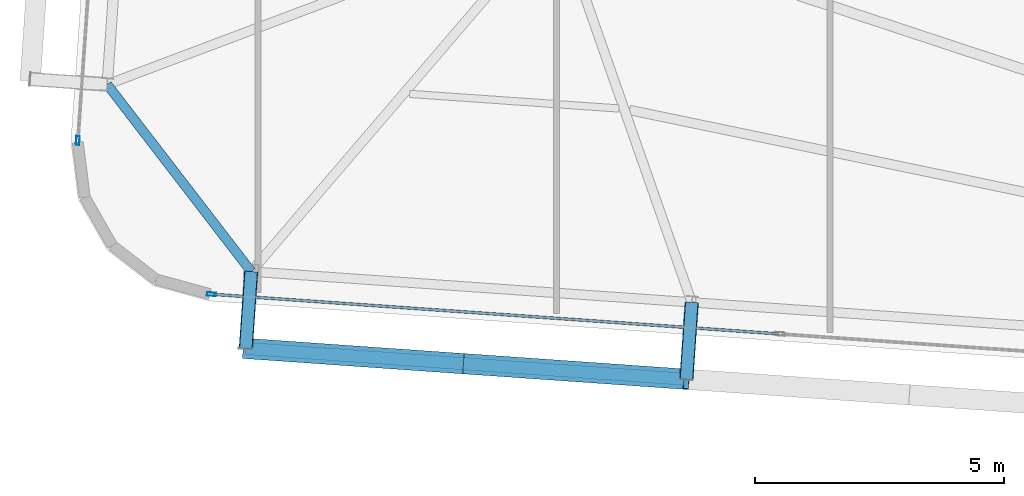
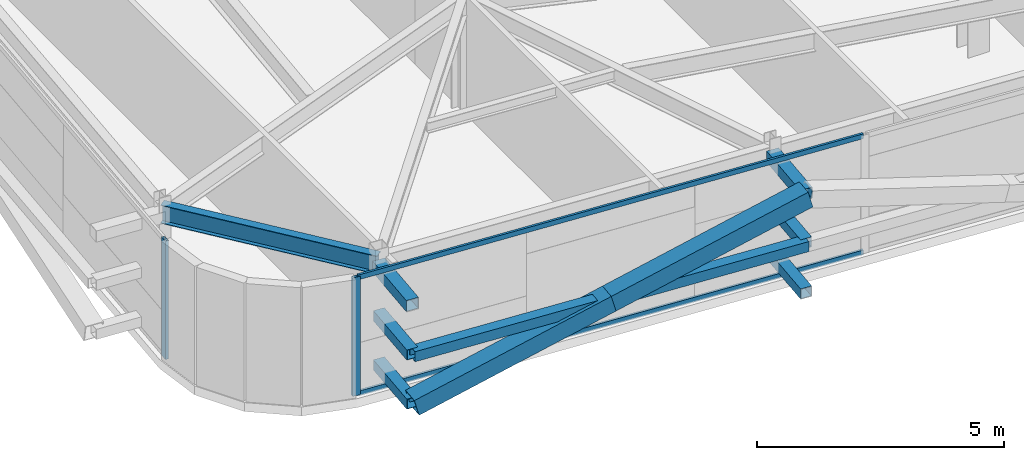
# One storey, part 6 of 39: 13 members, 1 beam, 2 elements without a shape of their own.
"""IFC4 building model written with IfcOpenShell, lengths in metres."""

from ifc_helpers import new_model, si_unit, direction, frame, origin, origin_2d, place, context, subcontext, project, spatial, hollow_rectangle, i_section, extrude, source, transform, mapped, material, layer, layer_set, material_profile, profile_set, type_object, element, aggregate, save


model = new_model("IFC4")

# Units and contexts
model_context = context("Model", 3, precision=1e-05, world=origin(), true_north=direction((0.0, 1.0)))
body_context = subcontext(model_context, "Body", "Model", "MODEL_VIEW")
ifc_project = project(units=[si_unit("LENGTHUNIT", "METRE"), si_unit("AREAUNIT", "SQUARE_METRE"), si_unit("VOLUMEUNIT", "CUBIC_METRE"), si_unit("PLANEANGLEUNIT", "RADIAN"), si_unit("MASSUNIT", "GRAM", prefix="KILO")], contexts=[model_context])

# Site, building, storey
site_placement = place(None, origin())
site = spatial("IfcSite", under=ifc_project, at=site_placement, CompositionType="ELEMENT")
building_placement = place(site_placement, origin())
building = spatial("IfcBuilding", under=site, at=building_placement, Name="Taldren Reach Tower", CompositionType="ELEMENT")
storey_placement = place(building_placement, frame((0.0, 0.0, 120.39990234375)))
storey = spatial("IfcBuildingStorey", under=building, at=storey_placement, Name="L36", CompositionType="ELEMENT", Elevation=120.39990234375)

# Members
ifc_material_1 = material(Name="Steel Gr 450 (C450L0)", Category="steel")
ifc_material_profile_1 = material_profile(ifc_material_1, hollow_rectangle(XDim=0.27490234375, YDim=0.27490234375, WallThickness=0.00927734375, at=origin_2d()), Name="275x275x9.3SHS")
ifc_profile_set_1 = profile_set([ifc_material_profile_1], Name="Steel Gr 450 (C450L0)")
member_type_1 = type_object("IfcMemberType", Name="MB-TIE273", PredefinedType="STRUT", material=ifc_profile_set_1)
shared_shape_1 = source(origin(), body_context, "Body", "SweptSolid", [
    extrude(hollow_rectangle(XDim=0.27490234375, YDim=0.27490234375, WallThickness=0.00927734375, at=origin_2d()), origin(), (0.0, 0.0, 1.0), 1.5498046875),
])
for number, where, z_axis, x_axis, name in (
    (1, (11.863525390625, 5.33837890625, 2.650146484375), (-0.069780535098, -0.997562367434, 0.0), (0.997562367434, -0.069780535098, 0.0), "Exoskeleton diaphragm tie strut B3-S1 L36"),
    (2, (20.721923828125, 4.718994140625, 2.650146484375), (-0.069780535098, -0.997562367434, 0.0), (0.997562367434, -0.069780535098, 0.0), "Exoskeleton diaphragm tie strut B3-S2 L36"),
):
    element("IfcMember", number, at=place(storey_placement, frame(where, z_axis=z_axis, x_axis=x_axis)), inside=storey, type_object=member_type_1, Name=name, PredefinedType="STRUT", context=body_context, shape_type="MappedRepresentation", body=[
        mapped(shared_shape_1, transform((0.0, 0.0, 0.0), scale=1.0)),
    ])
ifc_material_2 = material(Name="Steel Gr 350 (C350L0)", Category="steel")
ifc_material_profile_2 = material_profile(ifc_material_2, hollow_rectangle(XDim=0.25, YDim=0.25, WallThickness=0.010009765625, at=origin_2d()), Name="250x250x10.0SHS")
ifc_profile_set_2 = profile_set([ifc_material_profile_2], Name="Steel Gr 350 (C350L0)")
member_type_2 = type_object("IfcMemberType", Name="MB-POST250", PredefinedType="POST", material=ifc_profile_set_2)
shared_shape_2 = source(origin(), body_context, "Body", "SweptSolid", [
    extrude(hollow_rectangle(XDim=0.25, YDim=0.25, WallThickness=0.010009765625, at=origin_2d()), origin(), (0.0, 0.0, 1.0), 1.5498046875),
])
for number, where, z_axis, x_axis, name in (
    (3, (11.863525390625, 5.33837890625, 0.22021484375), (-0.069780535098, -0.997562367434, 0.0), (0.997562367434, -0.069780535098, 0.0), "Exoskeleton base diaphragm tie strut B3-S1 L36"),
    (4, (20.721923828125, 4.718994140625, 0.22021484375), (-0.069780535098, -0.997562367434, 0.0), (0.997562367434, -0.069780535098, 0.0), "Exoskeleton base diaphragm tie strut B3-S2 L36"),
    (5, (11.863525390625, 5.33837890625, 1.43505859375), (-0.069780535098, -0.997562367434, 0.0), (0.997562367434, -0.069780535098, 0.0), "Exoskeleton mid-tier diaphragm tie B3-S1 L36"),
    (6, (20.721923828125, 4.718994140625, 1.43505859375), (-0.069780535098, -0.997562367434, 0.0), (0.997562367434, -0.069780535098, 0.0), "Exoskeleton mid-tier diaphragm tie B3-S2 L36"),
):
    element("IfcMember", number, at=place(storey_placement, frame(where, z_axis=z_axis, x_axis=x_axis)), inside=storey, type_object=member_type_2, Name=name, PredefinedType="POST", context=body_context, shape_type="MappedRepresentation", body=[
        mapped(shared_shape_2, transform((0.0, 0.0, 0.0), scale=1.0)),
    ])

# Beam
ifc_material_3 = material(Name="Steel Gr 350 (350PLUS)", Category="steel")
ifc_material_profile_3 = material_profile(ifc_material_3, i_section(OverallWidth=0.18994140625, OverallDepth=0.4541015625, WebThickness=0.008544921875, FlangeThickness=0.0126953125, at=origin_2d()), Name="460UB67.1")
ifc_profile_set_3 = profile_set([ifc_material_profile_3], Name="Steel Gr 350 (350PLUS)")
beam_type = type_object("IfcBeamType", Name="SP-UB460B", PredefinedType="SPANDREL", material=ifc_profile_set_3)
shared_shape_3 = source(origin(), body_context, "Body", "SweptSolid", [
    extrude(i_section(OverallWidth=0.18994140625, OverallDepth=0.4541015625, WebThickness=0.008544921875, FlangeThickness=0.0126953125, at=origin_2d()), origin(), (0.0, 0.0, 1.0), 4.746337890625),
])
beam_placement = place(storey_placement, frame((8.96875, 9.099609375, 2.703125), z_axis=(0.609912099004, -0.792469072891, 0.0), x_axis=(0.792469072891, 0.609912099004, 0.0)))
element("IfcBeam", 7, at=beam_placement, inside=storey, type_object=beam_type, Name="Perimeter spandrel B3 W1-S1 L36", PredefinedType="SPANDREL", context=body_context, shape_type="MappedRepresentation", body=[
    mapped(shared_shape_3, transform((0.0, 0.0, 0.0), scale=1.0)),
])

# Members
shared_shape_4 = source(origin(), body_context, "Body", "SweptSolid", [
    extrude(hollow_rectangle(XDim=0.25, YDim=0.25, WallThickness=0.010009765625, at=origin_2d()), origin(), (0.0, 0.0, 1.0), 8.880126953125),
])
member_1_placement = place(storey_placement, frame((11.75537109375, 3.792236328125, 1.43505859375), z_axis=(0.997564479639, -0.069750333063, 0.0), x_axis=(0.069750333063, 0.997564479639, 0.0)))
element("IfcMember", 8, at=member_1_placement, inside=storey, type_object=member_type_2, Name="Exoskeleton mid-height ring chord B3-S1 L36", PredefinedType="POST", context=body_context, shape_type="MappedRepresentation", body=[
    mapped(shared_shape_4, transform((0.0, 0.0, 0.0), scale=1.0)),
])
ifc_material_profile_4 = material_profile(ifc_material_1, hollow_rectangle(XDim=0.409912109375, YDim=0.409912109375, WallThickness=0.01611328125, at=origin_2d()), Name="410x410x16.0SHS")
ifc_profile_set_4 = profile_set([ifc_material_profile_4], Name="Steel Gr 450 (C450L0)")
member_type_3 = type_object("IfcMemberType", Name="MB-EXO406", PredefinedType="BRACE", material=ifc_profile_set_4)
shared_shape_5 = source(origin(), body_context, "Body", "SweptSolid", [
    extrude(hollow_rectangle(XDim=0.409912109375, YDim=0.409912109375, WallThickness=0.01611328125, at=origin_2d()), origin(), (0.0, 0.0, 1.0), 4.603271484375),
])
for number, where, z_axis, x_axis, name in (
    (9, (11.75537109375, 3.792236328125, 0.22021484375), (0.962195820062, -0.067303852699, 0.263911718699), (0.06977769246, 0.997562566276, 0.0), "Exoskeleton Diagrid Brace B3-S1 L36"),
    (10, (16.1845703125, 3.482421875, 1.43505859375), (0.962185784239, -0.067250114343, 0.263962002434), (0.069722973508, 0.997566392259, 0.0), "Exoskeleton Diagrid Brace B3-S1 L36"),
):
    element("IfcMember", number, at=place(storey_placement, frame(where, z_axis=z_axis, x_axis=x_axis)), inside=storey, type_object=member_type_3, Name=name, PredefinedType="BRACE", context=body_context, shape_type="MappedRepresentation", body=[
        mapped(shared_shape_5, transform((0.0, 0.0, 0.0), scale=1.0)),
    ])

# Curtain wall, member
ifc_material_4 = material(Name="Aluminium and Low-E Glass Unitised System", Category="aluminium")
ifc_layer = layer(ifc_material_4, 0.159912109375)
ifc_layer_set = layer_set([ifc_layer], Name="Aluminium and Low-E Glass Unitised System")
curtain_wall_type = type_object("IfcCurtainWallType", Name="CW-SYS-4", PredefinedType="NOTDEFINED", material=ifc_layer_set)
curtain_wall_1_placement = place(storey_placement, origin())
curtain_wall_1 = element("IfcCurtainWall", 11, at=curtain_wall_1_placement, inside=storey, type_object=curtain_wall_type, Name="Unitised curtain wall CW-L36-S", PredefinedType="NOTDEFINED")
ifc_material_5 = material(Name="Anodised Aluminium 6063-T6", Category="aluminium")
ifc_material_profile_5 = material_profile(ifc_material_5, hollow_rectangle(XDim=0.070068359375, YDim=0.179931640625, WallThickness=0.00390625, at=origin_2d()), Name="ALU-180x70x4RHS")
ifc_profile_set_5 = profile_set([ifc_material_profile_5], Name="Anodised Aluminium 6063-T6")
member_type_4 = type_object("IfcMemberType", Name="CW-MUL-180", PredefinedType="MULLION", material=ifc_profile_set_5)
shared_shape_6 = source(origin(), body_context, "Body", "SweptSolid", [
    extrude(hollow_rectangle(XDim=0.070068359375, YDim=0.179931640625, WallThickness=0.00390625, at=origin_2d()), origin(), (0.0, 0.0, 1.0), 2.93017578125),
])
member_2_placement = place(storey_placement, frame((11.06494140625, 4.883056640625, 0.0), z_axis=(0.0, 0.0, 1.0), x_axis=(0.06975651593, 0.99756404731, 0.0)))
member_2 = element("IfcMember", 12, at=member_2_placement, type_object=member_type_4, Name="CW-4 mullion 1", PredefinedType="MULLION", context=body_context, shape_type="MappedRepresentation", body=[
    mapped(shared_shape_6, transform((0.0, 0.0, 0.0), scale=1.0)),
])

curtain_wall_2_placement = place(storey_placement, origin())
curtain_wall_2 = element("IfcCurtainWall", 13, at=curtain_wall_2_placement, inside=storey, type_object=curtain_wall_type, Name="Unitised curtain wall CW-L36-W", PredefinedType="NOTDEFINED")
member_3_placement = place(storey_placement, frame((8.37890625, 7.972900390625, 0.0), z_axis=(0.0, 0.0, 1.0), x_axis=(0.997564052812, -0.069756437251, 0.0)))
member_3 = element("IfcMember", 14, at=member_3_placement, type_object=member_type_4, Name="CW-4 mullion 3", PredefinedType="MULLION", context=body_context, shape_type="MappedRepresentation", body=[
    mapped(shared_shape_6, transform((0.0, 0.0, 0.0), scale=1.0)),
])
aggregate(curtain_wall_2, [member_3])

# Member
ifc_material_profile_6 = material_profile(ifc_material_5, hollow_rectangle(XDim=0.054931640625, YDim=0.1201171875, WallThickness=0.0029296875, at=origin_2d()), Name="ALU-120x55x3RHS")
ifc_profile_set_6 = profile_set([ifc_material_profile_6], Name="Anodised Aluminium 6063-T6")
member_type_5 = type_object("IfcMemberType", Name="CW-TRN-135", PredefinedType="USERDEFINED", material=ifc_profile_set_6)
shared_shape_7 = source(origin(), body_context, "Body", "SweptSolid", [
    extrude(hollow_rectangle(XDim=0.054931640625, YDim=0.1201171875, WallThickness=0.0029296875, at=origin_2d()), origin(), (0.0, 0.0, 1.0), 11.39501953125),
])
member_4_placement = place(storey_placement, frame((11.099853515625, 4.880615234375, 0.027587890625), z_axis=(0.997563740682, -0.069760900766, 0.0), x_axis=(0.069760900766, 0.997563740682, 0.0)))
member_4 = element("IfcMember", 15, at=member_4_placement, type_object=member_type_5, Name="CW-4 transom 1.1", ObjectType="TRANSOM", PredefinedType="USERDEFINED", context=body_context, shape_type="MappedRepresentation", body=[
    mapped(shared_shape_7, transform((0.0, 0.0, 0.0), scale=1.0)),
])

member_5_placement = place(storey_placement, frame((11.099853515625, 4.880615234375, 2.902587890625), z_axis=(0.997563740682, -0.069760900766, 0.0), x_axis=(0.069760900766, 0.997563740682, 0.0)))
member_5 = element("IfcMember", 16, at=member_5_placement, type_object=member_type_5, Name="CW-4 transom 1.2", ObjectType="TRANSOM", PredefinedType="USERDEFINED", context=body_context, shape_type="MappedRepresentation", body=[
    mapped(shared_shape_7, transform((0.0, 0.0, 0.0), scale=1.0)),
])

aggregate(curtain_wall_1, [member_2, member_4, member_5])

save(model, "model.ifc")
